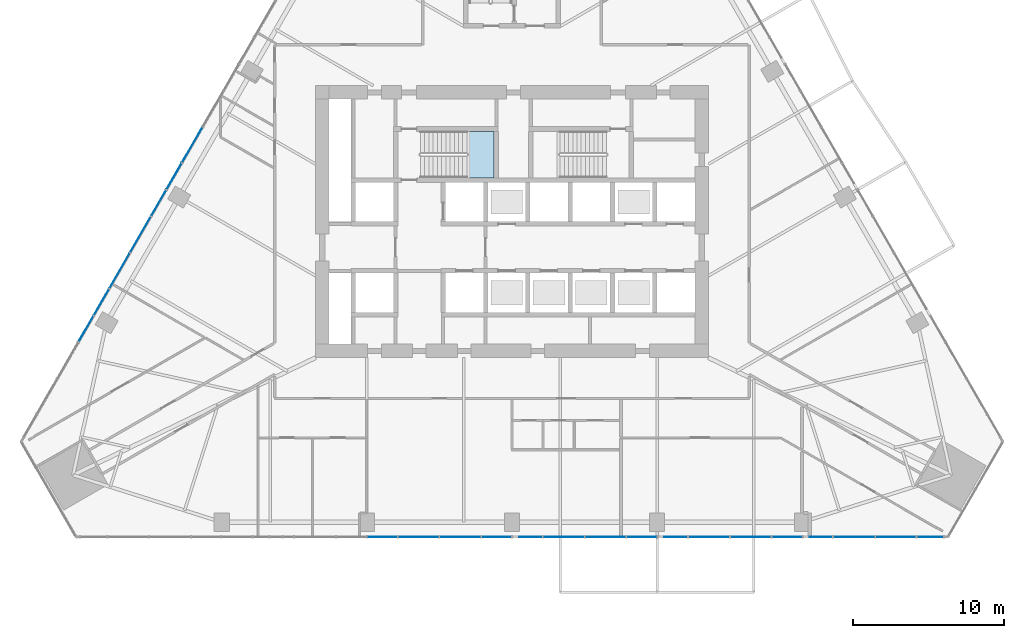
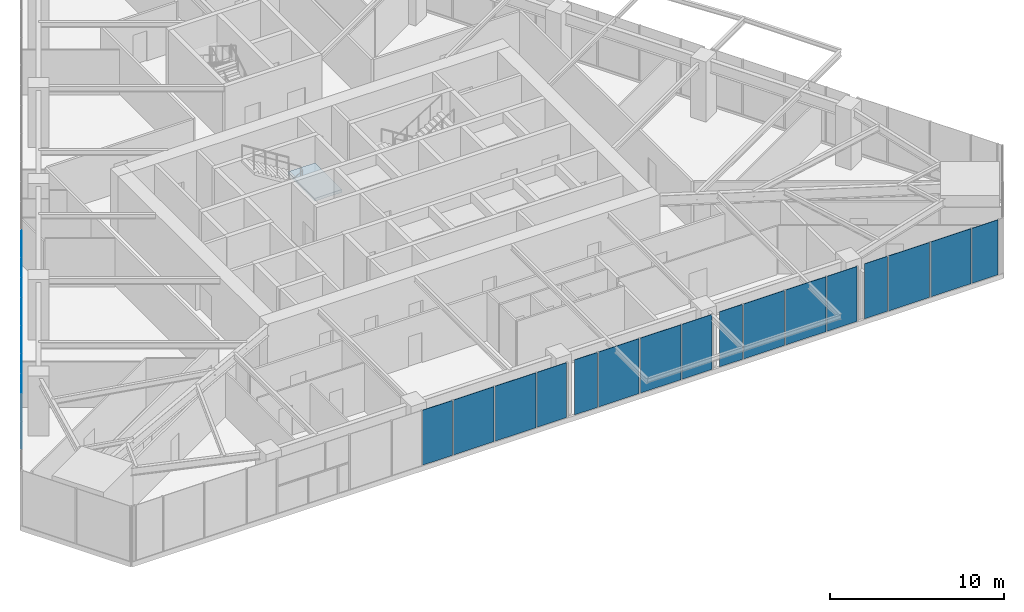
# One storey, part 16 of 29: 23 plates, 1 slab, 3 elements without a shape of their own.
"""IFC4 building model written with IfcOpenShell, lengths in metres."""

from ifc_helpers import new_model, si_unit, direction, frame, origin, place, context, subcontext, project, spatial, polyline, outline, extrude, material, layer, layer_set, type_object, element, aggregate, save


model = new_model("IFC4")

# Units and contexts
model_context = context("Model", 3, precision=1e-05, world=origin(), true_north=direction((0.0, 1.0)))
body_context = subcontext(model_context, "Body", "Model", "MODEL_VIEW")
ifc_project = project(units=[si_unit("LENGTHUNIT", "METRE"), si_unit("AREAUNIT", "SQUARE_METRE"), si_unit("VOLUMEUNIT", "CUBIC_METRE"), si_unit("PLANEANGLEUNIT", "RADIAN"), si_unit("MASSUNIT", "GRAM", prefix="KILO")], contexts=[model_context])

# Site, building, storey
site_placement = place(None, origin())
site = spatial("IfcSite", under=ifc_project, at=site_placement, CompositionType="ELEMENT")
building_placement = place(site_placement, origin())
building = spatial("IfcBuilding", under=site, at=building_placement, Name="Firuza Gate Tower and Library", CompositionType="ELEMENT")
storey_placement = place(building_placement, frame((0.0, 0.0, 44.199951171875)))
storey = spatial("IfcBuildingStorey", under=building, at=storey_placement, Name="L09", CompositionType="ELEMENT", Elevation=44.199951171875)

# Curtain wall, plates
ifc_material_1 = material(Name="Aluminium 6063-T6", Category="aluminium")
ifc_layer_1 = layer(ifc_material_1, 0.14990234375)
ifc_layer_set_1 = layer_set([ifc_layer_1], Name="Unitised curtain wall, offices")
curtain_wall_type = type_object("IfcCurtainWallType", Name="Unitised curtain wall, offices", PredefinedType="NOTDEFINED", material=ifc_layer_set_1)
placement = place(storey_placement, origin())
curtain_wall_1 = element("IfcCurtainWall", 1, at=placement, inside=storey, type_object=curtain_wall_type, Name="CW1 L09 S face", PredefinedType="NOTDEFINED")
ifc_material_2 = material(Name="Fritted glass", Category="glass")
ifc_layer_2 = layer(ifc_material_2, 0.030029296875)
ifc_layer_set_2 = layer_set([ifc_layer_2], Name="Fritted glass unit, offices")
plate_type_1 = type_object("IfcPlateType", Name="Fritted glass unit, offices", PredefinedType="CURTAIN_PANEL", material=ifc_layer_set_2)
plate_1_placement = place(storey_placement, frame((65.425537109375, 54.12548828125, 0.150146484375), z_axis=(0.0, -1.0, 0.0), x_axis=(1.0, 0.0, 0.0)))
plate_1 = element("IfcPlate", 2, at=plate_1_placement, type_object=plate_type_1, Name="Glass unit", PredefinedType="CURTAIN_PANEL", context=body_context, shape_type="SweptSolid", body=[
    extrude(outline(polyline([(0.0, 0.0), (1.97216796875, 0.0), (1.97216796875, 3.849853515625), (0.0, 3.849853515625), (0.0, 0.0)])), origin(), (0.0, 0.0, -1.0), 0.030029296875),
])
plate_2_placement = place(storey_placement, frame((73.00244140625, 54.12548828125, 0.150146484375), z_axis=(0.0, -1.0, 0.0), x_axis=(1.0, 0.0, 0.0)))
plate_2 = element("IfcPlate", 3, at=plate_2_placement, type_object=plate_type_1, Name="Glass unit", PredefinedType="CURTAIN_PANEL", context=body_context, shape_type="SweptSolid", body=[
    extrude(outline(polyline([(0.0, 0.0), (1.95751953125, 0.0), (1.95751953125, 3.849853515625), (0.0, 3.849853515625), (0.0, 0.0)])), origin(), (0.0, 0.0, -1.0), 0.030029296875),
])
plate_3_placement = place(storey_placement, frame((75.487060546875, 54.12548828125, 0.150146484375), z_axis=(0.0, -1.0, 0.0), x_axis=(1.0, 0.0, 0.0)))
plate_3 = element("IfcPlate", 4, at=plate_3_placement, type_object=plate_type_1, Name="Glass unit", PredefinedType="CURTAIN_PANEL", context=body_context, shape_type="SweptSolid", body=[
    extrude(outline(polyline([(0.0, 0.0), (1.510498046875, 0.0), (1.510498046875, 3.849853515625), (0.0, 3.849853515625), (0.0, 0.0)])), origin(), (0.0, 0.0, -1.0), 0.030029296875),
])
plate_4_placement = place(storey_placement, frame((82.602294921875, 54.12548828125, 0.150146484375), z_axis=(0.0, -1.0, 0.0), x_axis=(1.0, 0.0, 0.0)))
plate_4 = element("IfcPlate", 5, at=plate_4_placement, type_object=plate_type_1, Name="Glass unit", PredefinedType="CURTAIN_PANEL", context=body_context, shape_type="SweptSolid", body=[
    extrude(outline(polyline([(0.0, 0.0), (1.97216796875, 0.0), (1.97216796875, 3.849853515625), (0.0, 3.849853515625), (0.0, 0.0)])), origin(), (0.0, 0.0, -1.0), 0.030029296875),
])
plate_5_placement = place(storey_placement, frame((85.0869140625, 54.12548828125, 0.150146484375), z_axis=(0.0, -1.0, 0.0), x_axis=(1.0, 0.0, 0.0)))
plate_5 = element("IfcPlate", 6, at=plate_5_placement, type_object=plate_type_1, Name="Glass unit", PredefinedType="CURTAIN_PANEL", context=body_context, shape_type="SweptSolid", body=[
    extrude(outline(polyline([(0.0, 0.0), (1.5107421875, 0.0), (1.5107421875, 3.849853515625), (0.0, 3.849853515625), (0.0, 0.0)])), origin(), (0.0, 0.0, -1.0), 0.030029296875),
])
plate_6_placement = place(storey_placement, frame((92.202392578125, 54.12548828125, 0.150146484375), z_axis=(0.0, -1.0, 0.0), x_axis=(1.0, 0.0, 0.0)))
plate_6 = element("IfcPlate", 7, at=plate_6_placement, type_object=plate_type_1, Name="Glass unit", PredefinedType="CURTAIN_PANEL", context=body_context, shape_type="SweptSolid", body=[
    extrude(outline(polyline([(0.0, 0.0), (1.986572265625, 0.0), (1.986572265625, 3.849853515625), (0.0, 3.849853515625), (0.0, 0.0)])), origin(), (0.0, 0.0, -1.0), 0.030029296875),
])
plate_7_placement = place(storey_placement, frame((94.68701171875, 54.12548828125, 0.150146484375), z_axis=(0.0, -1.0, 0.0), x_axis=(1.0, 0.0, 0.0)))
plate_7 = element("IfcPlate", 8, at=plate_7_placement, type_object=plate_type_1, Name="Glass unit", PredefinedType="CURTAIN_PANEL", context=body_context, shape_type="SweptSolid", body=[
    extrude(outline(polyline([(0.0, 0.0), (1.510498046875, 0.0), (1.510498046875, 3.849853515625), (0.0, 3.849853515625), (0.0, 0.0)])), origin(), (0.0, 0.0, -1.0), 0.030029296875),
])
plate_8_placement = place(storey_placement, frame((101.802490234375, 54.12548828125, 0.150146484375), z_axis=(0.0, -1.0, 0.0), x_axis=(1.0, 0.0, 0.0)))
plate_8 = element("IfcPlate", 9, at=plate_8_placement, type_object=plate_type_1, Name="Glass unit", PredefinedType="CURTAIN_PANEL", context=body_context, shape_type="SweptSolid", body=[
    extrude(outline(polyline([(0.0, 0.0), (1.734619140625, 0.0), (1.734619140625, 3.849853515625), (0.0, 3.849853515625), (0.0, 0.0)])), origin(), (0.0, 0.0, -1.0), 0.030029296875),
])

curtain_wall_2 = element("IfcCurtainWall", 10, at=placement, inside=storey, type_object=curtain_wall_type, Name="CW1 L09 W face", PredefinedType="NOTDEFINED")
plate_9_placement = place(storey_placement, frame((53.120849609375, 78.853515625, 0.150146484375), z_axis=(-0.866033041146, 0.499986771468, 0.0), x_axis=(-0.499986771468, -0.866033041146, 0.0)))
plate_9 = element("IfcPlate", 11, at=plate_9_placement, type_object=plate_type_1, Name="Glass unit", PredefinedType="CURTAIN_PANEL", context=body_context, shape_type="SweptSolid", body=[
    extrude(outline(polyline([(0.0, 0.0), (1.9722201479048709, 0.0), (1.9722201479048709, 3.849853515625001), (0.0, 3.849853515625001), (0.0, 0.0)])), origin(), (0.0, 0.0, -1.0), 0.030029296875),
])
plate_10_placement = place(storey_placement, frame((52.0947265625, 77.076416015625, 0.150146484375), z_axis=(-0.866062147103, 0.499936353304, 0.0), x_axis=(-0.499936353304, -0.866062147103, 0.0)))
plate_10 = element("IfcPlate", 12, at=plate_10_placement, type_object=plate_type_1, Name="Glass unit", PredefinedType="CURTAIN_PANEL", context=body_context, shape_type="SweptSolid", body=[
    extrude(outline(polyline([(0.0, 0.0), (1.9431184398875354, 0.0), (1.9431184398875354, 3.849853515625), (0.0, 3.849853515625), (0.0, 0.0)])), origin(), (0.0, 0.0, -1.0), 0.030029296875),
])
plate_11_placement = place(storey_placement, frame((48.32080078125, 70.53955078125, 0.150146484375), z_axis=(-0.866025935826, 0.499999078476, 0.0), x_axis=(-0.499999078476, -0.866025935826, 0.0)))
plate_11 = element("IfcPlate", 13, at=plate_11_placement, type_object=plate_type_1, Name="Glass unit", PredefinedType="CURTAIN_PANEL", context=body_context, shape_type="SweptSolid", body=[
    extrude(outline(polyline([(0.0, 0.0), (1.9863317859057035, 0.0), (1.9863317859057035, 3.849853515625), (0.0, 3.849853515625), (0.0, 0.0)])), origin(), (0.0, 0.0, -1.0), 0.030029296875),
])
plate_12_placement = place(storey_placement, frame((47.28759765625, 68.75, 0.150146484375), z_axis=(-0.86603803935, 0.499978113919, 0.0), x_axis=(-0.499978113919, -0.86603803935, 0.0)))
plate_12 = element("IfcPlate", 14, at=plate_12_placement, type_object=plate_type_1, Name="Glass unit", PredefinedType="CURTAIN_PANEL", context=body_context, shape_type="SweptSolid", body=[
    extrude(outline(polyline([(0.0, 0.0), (1.928795365042954, 0.0), (1.928795365042954, 3.849853515625001), (0.0, 3.849853515625001), (0.0, 0.0)])), origin(), (0.0, 0.0, -1.0), 0.030029296875),
])

# Plate
ifc_material_3 = material(Name="Glazed ceramic tile")
ifc_layer_3 = layer(ifc_material_3, 0.030029296875)
ifc_layer_set_3 = layer_set([ifc_layer_3], Name="Opaque ceramic panel, offices")
plate_type_2 = type_object("IfcPlateType", Name="Opaque ceramic panel, offices", PredefinedType="CURTAIN_PANEL", material=ifc_layer_set_3)
plate_13_placement = place(storey_placement, frame((67.4775390625, 54.12548828125, 0.150146484375), z_axis=(0.0, -1.0, 0.0), x_axis=(1.0, 0.0, 0.0)))
plate_13 = element("IfcPlate", 15, at=plate_13_placement, type_object=plate_type_2, Name="Opaque ceramic panel", PredefinedType="CURTAIN_PANEL", context=body_context, shape_type="SweptSolid", body=[
    extrude(outline(polyline([(0.0, 0.0), (2.67529296875, 0.0), (2.67529296875, 3.849853515625), (0.0, 3.849853515625), (0.0, 0.0)])), origin(), (0.0, 0.0, -1.0), 0.030029296875),
])

plate_14_placement = place(storey_placement, frame((70.232666015625, 54.12548828125, 0.150146484375), z_axis=(0.0, -1.0, 0.0), x_axis=(1.0, 0.0, 0.0)))
plate_14 = element("IfcPlate", 16, at=plate_14_placement, type_object=plate_type_2, Name="Opaque ceramic panel", PredefinedType="CURTAIN_PANEL", context=body_context, shape_type="SweptSolid", body=[
    extrude(outline(polyline([(0.0, 0.0), (2.689697265625, 0.0), (2.689697265625, 3.849853515625), (0.0, 3.849853515625), (0.0, 0.0)])), origin(), (0.0, 0.0, -1.0), 0.030029296875),
])

plate_15_placement = place(storey_placement, frame((77.07763671875, 54.12548828125, 0.150146484375), z_axis=(0.0, -1.0, 0.0), x_axis=(1.0, 0.0, 0.0)))
plate_15 = element("IfcPlate", 17, at=plate_15_placement, type_object=plate_type_2, Name="Opaque ceramic panel", PredefinedType="CURTAIN_PANEL", context=body_context, shape_type="SweptSolid", body=[
    extrude(outline(polyline([(0.0, 0.0), (2.689697265625, 0.0), (2.689697265625, 3.849853515625), (0.0, 3.849853515625), (0.0, 0.0)])), origin(), (0.0, 0.0, -1.0), 0.030029296875),
])

plate_16_placement = place(storey_placement, frame((79.84716796875, 54.12548828125, 0.150146484375), z_axis=(0.0, -1.0, 0.0), x_axis=(1.0, 0.0, 0.0)))
plate_16 = element("IfcPlate", 18, at=plate_16_placement, type_object=plate_type_2, Name="Opaque ceramic panel", PredefinedType="CURTAIN_PANEL", context=body_context, shape_type="SweptSolid", body=[
    extrude(outline(polyline([(0.0, 0.0), (2.67529296875, 0.0), (2.67529296875, 3.849853515625), (0.0, 3.849853515625), (0.0, 0.0)])), origin(), (0.0, 0.0, -1.0), 0.030029296875),
])

plate_17_placement = place(storey_placement, frame((86.677490234375, 54.12548828125, 0.150146484375), z_axis=(0.0, -1.0, 0.0), x_axis=(1.0, 0.0, 0.0)))
plate_17 = element("IfcPlate", 19, at=plate_17_placement, type_object=plate_type_2, Name="Opaque ceramic panel", PredefinedType="CURTAIN_PANEL", context=body_context, shape_type="SweptSolid", body=[
    extrude(outline(polyline([(0.0, 0.0), (2.7041015625, 0.0), (2.7041015625, 3.849853515625), (0.0, 3.849853515625), (0.0, 0.0)])), origin(), (0.0, 0.0, -1.0), 0.030029296875),
])

plate_18_placement = place(storey_placement, frame((89.461669921875, 54.12548828125, 0.150146484375), z_axis=(0.0, -1.0, 0.0), x_axis=(1.0, 0.0, 0.0)))
plate_18 = element("IfcPlate", 20, at=plate_18_placement, type_object=plate_type_2, Name="Opaque ceramic panel", PredefinedType="CURTAIN_PANEL", context=body_context, shape_type="SweptSolid", body=[
    extrude(outline(polyline([(0.0, 0.0), (2.66064453125, 0.0), (2.66064453125, 3.849853515625), (0.0, 3.849853515625), (0.0, 0.0)])), origin(), (0.0, 0.0, -1.0), 0.030029296875),
])

plate_19_placement = place(storey_placement, frame((96.277587890625, 54.12548828125, 0.150146484375), z_axis=(0.0, -1.0, 0.0), x_axis=(1.0, 0.0, 0.0)))
plate_19 = element("IfcPlate", 21, at=plate_19_placement, type_object=plate_type_2, Name="Opaque ceramic panel", PredefinedType="CURTAIN_PANEL", context=body_context, shape_type="SweptSolid", body=[
    extrude(outline(polyline([(0.0, 0.0), (2.718505859375, 0.0), (2.718505859375, 3.849853515625), (0.0, 3.849853515625), (0.0, 0.0)])), origin(), (0.0, 0.0, -1.0), 0.030029296875),
])

plate_20_placement = place(storey_placement, frame((99.076171875, 54.12548828125, 0.150146484375), z_axis=(0.0, -1.0, 0.0), x_axis=(1.0, 0.0, 0.0)))
plate_20 = element("IfcPlate", 22, at=plate_20_placement, type_object=plate_type_2, Name="Opaque ceramic panel", PredefinedType="CURTAIN_PANEL", context=body_context, shape_type="SweptSolid", body=[
    extrude(outline(polyline([(0.0, 0.0), (2.646240234375, 0.0), (2.646240234375, 3.849853515625), (0.0, 3.849853515625), (0.0, 0.0)])), origin(), (0.0, 0.0, -1.0), 0.030029296875),
])

aggregate(curtain_wall_1, [plate_1, plate_13, plate_14, plate_2, plate_3, plate_15, plate_16, plate_4, plate_5, plate_17, plate_18, plate_6, plate_7, plate_19, plate_20, plate_8])

plate_21_placement = place(storey_placement, frame((54.49853515625, 81.239501953125, 0.150146484375), z_axis=(-0.866027539765, 0.499996300355, 0.0), x_axis=(-0.499996300355, -0.866027539765, 0.0)))
plate_21 = element("IfcPlate", 23, at=plate_21_placement, type_object=plate_type_2, Name="Opaque ceramic panel", PredefinedType="CURTAIN_PANEL", context=body_context, shape_type="SweptSolid", body=[
    extrude(outline(polyline([(0.0, 0.0), (2.6753127641636505, 0.0), (2.6753127641636505, 3.849853515625001), (0.0, 3.849853515625001), (0.0, 0.0)])), origin(), (0.0, 0.0, -1.0), 0.030029296875),
])

plate_22_placement = place(storey_placement, frame((51.083251953125, 75.32421875, 0.150146484375), z_axis=(-0.866023205937, 0.500003806764, 0.0), x_axis=(-0.500003806764, -0.866023205937, 0.0)))
plate_22 = element("IfcPlate", 24, at=plate_22_placement, type_object=plate_type_2, Name="Opaque ceramic panel", PredefinedType="CURTAIN_PANEL", context=body_context, shape_type="SweptSolid", body=[
    extrude(outline(polyline([(0.0, 0.0), (2.7040809749041363, 0.0), (2.7040809749041363, 3.849853515625), (0.0, 3.849853515625), (0.0, 0.0)])), origin(), (0.0, 0.0, -1.0), 0.030029296875),
])

plate_23_placement = place(storey_placement, frame((49.691162109375, 72.9130859375, 0.150146484375), z_axis=(-0.866026668906, 0.499997808738, 0.0), x_axis=(-0.499997808738, -0.866026668906, 0.0)))
plate_23 = element("IfcPlate", 25, at=plate_23_placement, type_object=plate_type_2, Name="Opaque ceramic panel", PredefinedType="CURTAIN_PANEL", context=body_context, shape_type="SweptSolid", body=[
    extrude(outline(polyline([(0.0, 0.0), (2.6606561916387736, 0.0), (2.6606561916387736, 3.849853515625), (0.0, 3.849853515625), (0.0, 0.0)])), origin(), (0.0, 0.0, -1.0), 0.030029296875),
])

aggregate(curtain_wall_2, [plate_21, plate_9, plate_10, plate_22, plate_23, plate_11, plate_12])

# Stair, slab
ifc_material_4 = material(Name="Concrete C35/45", Category="concrete")
stair_type = type_object("IfcStairType", Name="Exit stair ST5", PredefinedType="HALF_TURN_STAIR", material=ifc_material_4)
stair = element("IfcStair", 26, at=placement, inside=storey, type_object=stair_type, Name="L09 Stair ST1", PredefinedType="HALF_TURN_STAIR")
ifc_material_5 = material(Name="Concrete C35/45", Category="concrete")
ifc_layer_4 = layer(ifc_material_5, 0.199951171875)
ifc_layer_set_4 = layer_set([ifc_layer_4], Name="Stair landing 200")
slab_type = type_object("IfcSlabType", Name="Stair landing 200", PredefinedType="LANDING", material=ifc_layer_set_4)
slab_placement = place(storey_placement, frame((0.0, 0.0, 1.900146484375)))
slab = element("IfcSlab", 27, at=slab_placement, type_object=slab_type, Name="ST1 landing 1", PredefinedType="LANDING", context=body_context, shape_type="SweptSolid", body=[
    extrude(outline(polyline([(72.02001953125, 77.89990234375), (73.81005859375, 77.89990234375), (73.81005859375, 80.97998046875), (72.02001953125, 80.97998046875), (72.02001953125, 77.89990234375)])), origin(), (0.0, 0.0, 1.0), 0.199951171875),
])
aggregate(stair, [slab])

save(model, "model.ifc")
